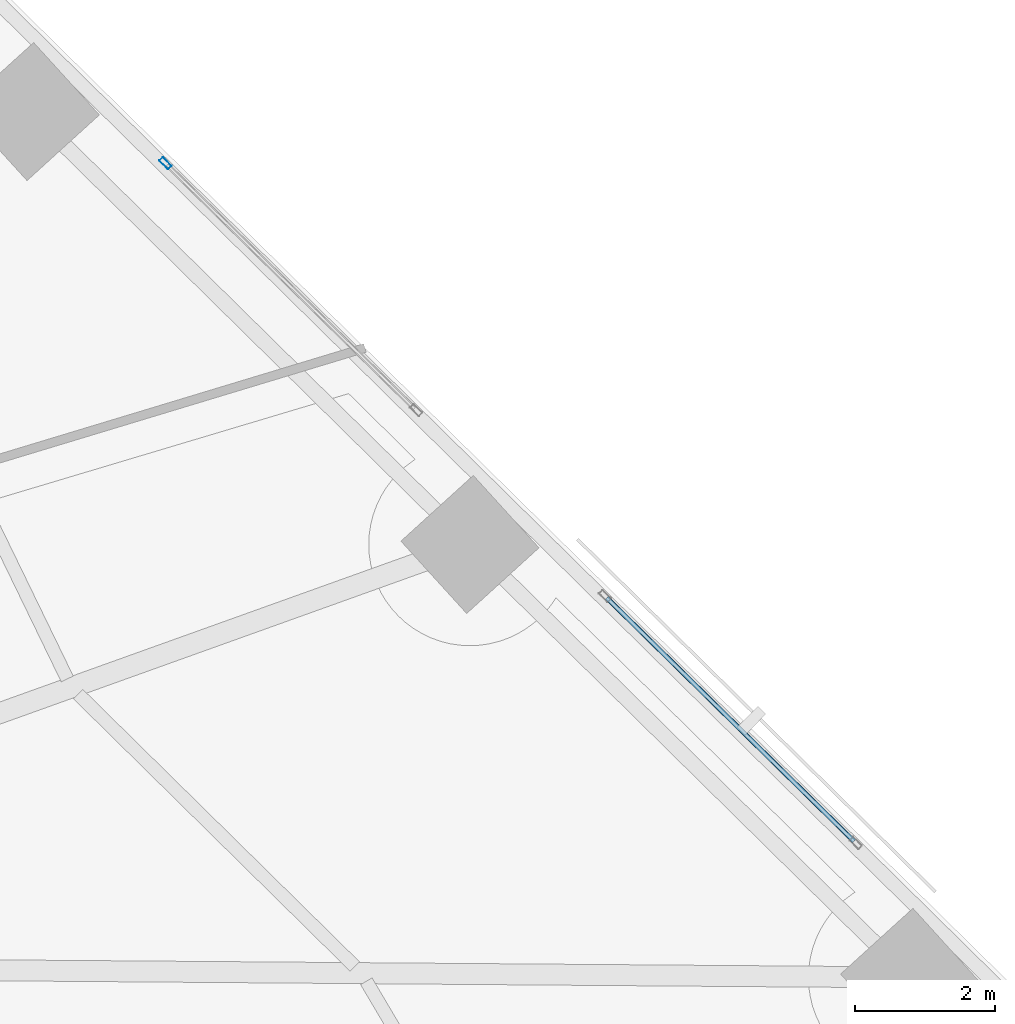
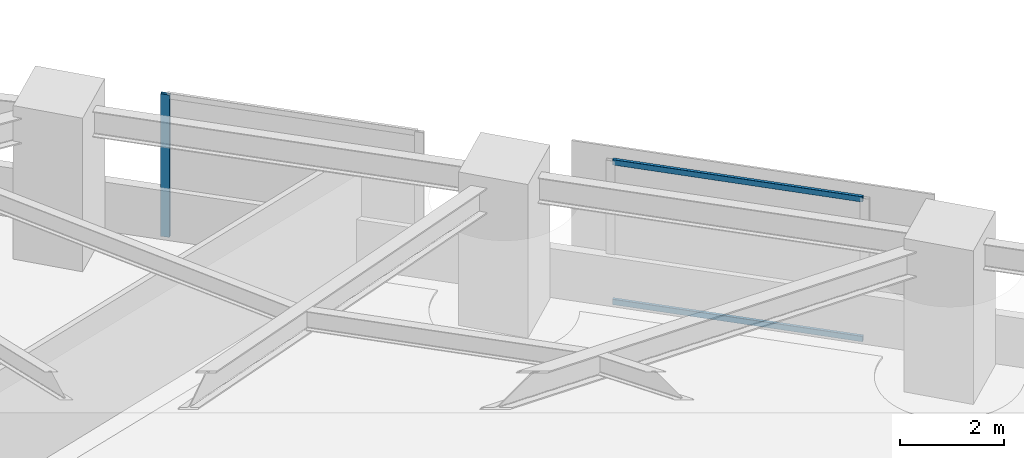
# One storey, part 7 of 18: 3 members, 2 elements without a shape of their own.
"""IFC4 building model written with IfcOpenShell, lengths in metres."""

import ifcopenshell
import ifcopenshell.guid

model = None  # the IFC model being written
_history = None  # IfcOwnerHistory: only IFC2X3 demands one
_inside = {}  # id of a spatial element -> (the spatial element, [elements in it])
_under = {}  # id of a project, library or spatial element -> (it, [spatial elements below it])
_declared = {}  # id of a project -> (the project, [libraries it declares])
_typed = {}  # id of a type object -> (the type object, [elements of that type])
_made_of = {}  # id of a material, layer set ... -> (it, [elements and type objects made of it])


def new_model(schema):
    """Start an empty IFC model of exactly this schema.

    Asked for "IFC4X3", IfcOpenShell would pick the latest addendum, in which some entities
    have other attributes; the version numbers below select the first issue.
    IFC2X3 requires an IfcOwnerHistory on every rooted entity: one is made here for all.
    """
    global model, _history
    if schema == "IFC4X3":
        model = ifcopenshell.file(schema_version=(4, 3, 0, 0))
    else:
        model = ifcopenshell.file(schema=schema)
    _inside.clear()
    _under.clear()
    _declared.clear()
    _typed.clear()
    _made_of.clear()
    _history = None
    if model.schema == "IFC2X3":
        org = make("IfcOrganization", Name="unknown")
        user = make(
            "IfcPersonAndOrganization",
            ThePerson=make("IfcPerson", FamilyName="unknown"),
            TheOrganization=org,
        )
        app = make(
            "IfcApplication",
            ApplicationDeveloper=org,
            Version="unknown",
            ApplicationFullName="unknown",
            ApplicationIdentifier="unknown",
        )
        _history = make(
            "IfcOwnerHistory",
            OwningUser=user,
            OwningApplication=app,
            ChangeAction="ADDED",
            CreationDate=0,
        )
    return model


def make(cls, **values):
    """One entity of the class cls with the attributes given. An attribute that is None is left unset."""
    return model.create_entity(
        cls, **{name: value for name, value in values.items() if value is not None}
    )


def rooted(cls, **values):
    """An entity with a GlobalId (a new one), such as an element, a storey or a relation."""
    return make(cls, GlobalId=ifcopenshell.guid.new(), OwnerHistory=_history, **values)


def si_unit(unit_type, name, prefix=None):
    """IfcSIUnit, for example si_unit("LENGTHUNIT", "METRE", prefix="MILLI")."""
    return make("IfcSIUnit", UnitType=unit_type, Prefix=prefix, Name=name)


def assignment(units):
    """IfcUnitAssignment: the units of a project."""
    return None if units is None else make("IfcUnitAssignment", Units=units)


def point(xyz):
    """IfcCartesianPoint."""
    return None if xyz is None else make("IfcCartesianPoint", Coordinates=xyz)


def direction(xyz):
    """IfcDirection."""
    return None if xyz is None else make("IfcDirection", DirectionRatios=xyz)


def frame(location, z_axis=None, x_axis=None):
    """IfcAxis2Placement3D, a coordinate frame: its origin and axes. An axis left out is left unset."""
    return make(
        "IfcAxis2Placement3D",
        Location=point(location),
        Axis=direction(z_axis),
        RefDirection=direction(x_axis),
    )


def frame_2d(location, x_axis=None):
    """IfcAxis2Placement2D, a coordinate frame in the plane: its origin and x axis."""
    return make(
        "IfcAxis2Placement2D", Location=point(location), RefDirection=direction(x_axis)
    )


def origin():
    """The frame at (0, 0, 0) with its axes left unset."""
    return frame((0.0, 0.0, 0.0))


def origin_2d():
    """The frame at (0, 0) in the plane with its x axis left unset."""
    return frame_2d((0.0, 0.0))


def place(relative_to, where):
    """IfcLocalPlacement: puts the frame where relative to a parent placement (None: the world)."""
    return make(
        "IfcLocalPlacement", PlacementRelTo=relative_to, RelativePlacement=where
    )


def context(
    kind, dimensions, precision=None, world=None, true_north=None, identifier=None
):
    """IfcGeometricRepresentationContext, for example the 3D "Model" context."""
    return make(
        "IfcGeometricRepresentationContext",
        ContextIdentifier=identifier,
        ContextType=kind,
        CoordinateSpaceDimension=dimensions,
        Precision=precision,
        WorldCoordinateSystem=world,
        TrueNorth=true_north,
    )


def subcontext(parent, identifier, kind, view, scale=None):
    """IfcGeometricRepresentationSubContext, for example "Body" below "Model"."""
    return make(
        "IfcGeometricRepresentationSubContext",
        ContextIdentifier=identifier,
        ContextType=kind,
        ParentContext=parent,
        TargetScale=scale,
        TargetView=view,
    )


def project(units=None, contexts=None):
    """IfcProject with its units and contexts."""
    return rooted(
        "IfcProject",
        Name="project",
        RepresentationContexts=contexts,
        UnitsInContext=assignment(units),
    )


def spatial(cls, under=None, at=None, **own):
    """A site, building, storey or space (cls), placed at a placement, below another one or the project."""
    s = rooted(cls, ObjectPlacement=at, **own)
    if under is not None:
        _under.setdefault(under.id(), (under, []))[1].append(s)
    return s


def profile(cls, at=None, kind="AREA", **sizes):
    """A parametric profile (cls). Its sizes go by their IFC names, for example OverallWidth=200.0."""
    return make(cls, ProfileType=kind, Position=at, **sizes)


def hollow_rectangle(**sizes):
    """IfcRectangleHollowProfileDef."""
    return profile("IfcRectangleHollowProfileDef", **sizes)


def extrude(swept, where, along, depth):
    """IfcExtrudedAreaSolid: the profile swept, set in the frame where, extruded along a direction by depth."""
    return make(
        "IfcExtrudedAreaSolid",
        SweptArea=swept,
        Position=where,
        ExtrudedDirection=direction(along),
        Depth=depth,
    )


def shape(context_of_items, identifier, shape_type, items):
    """IfcShapeRepresentation: the items that make up one representation, for example the "Body"."""
    return make(
        "IfcShapeRepresentation",
        ContextOfItems=context_of_items,
        RepresentationIdentifier=identifier,
        RepresentationType=shape_type,
        Items=items,
    )


def material(Name=None, Category=None):
    """IfcMaterial."""
    return make("IfcMaterial", Name=Name, Category=Category)


def material_profile(
    of_material, cross_section, Name=None, Category=None, Priority=None
):
    """IfcMaterialProfile: a cross section and its material."""
    return make(
        "IfcMaterialProfile",
        Name=Name,
        Material=of_material,
        Profile=cross_section,
        Priority=Priority,
        Category=Category,
    )


def profile_set(profiles, Name=None, composite=None):
    """IfcMaterialProfileSet."""
    return make(
        "IfcMaterialProfileSet",
        Name=Name,
        MaterialProfiles=profiles,
        CompositeProfile=composite,
    )


def made_of(thing, what):
    """Note that an element or type object is made of a material, layer set ...; save() writes the relation."""
    if what is not None:
        _made_of.setdefault(what.id(), (what, []))[1].append(thing)
    return thing


def type_object(cls, material=None, **own):
    """A type object (cls), such as IfcWallType, which elements share."""
    return made_of(rooted(cls, **own), material)


def element(
    cls,
    number,
    at=None,
    inside=None,
    cuts=None,
    type_object=None,
    material=None,
    context=None,
    identifier="Body",
    shape_type=None,
    held_by="IfcProductDefinitionShape",
    body=None,
    shapes=None,
    **own,
):
    """One element of the class cls, such as IfcWall. Its Tag is "e" and its number.

    at: its placement. inside: the storey or other place that contains it. cuts: it is an
    opening in that element (IfcRelVoidsElement). A single representation is given by context,
    identifier, shape_type and body (its items); several are given by shapes. held_by: the class
    of the entity that holds the representations. save() writes the other relations.
    """
    e = rooted(cls, Tag="e%d" % number, ObjectPlacement=at, **own)
    if body is not None:
        shapes = [shape(context, identifier, shape_type, body)]
    if shapes is not None:
        e.Representation = make(held_by, Representations=shapes)
    if inside is not None:
        _inside.setdefault(inside.id(), (inside, []))[1].append(e)
    if cuts is not None:
        rooted(
            "IfcRelVoidsElement", RelatingBuildingElement=cuts, RelatedOpeningElement=e
        )
    if type_object is not None:
        _typed.setdefault(type_object.id(), (type_object, []))[1].append(e)
    return made_of(e, material)


def aggregate(whole, parts):
    """IfcRelAggregates: a whole, such as a stair, and the parts it consists of."""
    return rooted("IfcRelAggregates", RelatingObject=whole, RelatedObjects=parts)


def save(model, path):
    """Write the relations noted so far, then the file.

    IfcRelAggregates (storeys below a building ...), IfcRelContainedInSpatialStructure (elements
    in a storey), IfcRelDefinesByType, IfcRelAssociatesMaterial and IfcRelDeclares: one each for
    every whole, place, type object, material and project.
    """
    for whole, parts in _under.values():
        aggregate(whole, parts)
    for where, things in _inside.values():
        rooted(
            "IfcRelContainedInSpatialStructure",
            RelatedElements=things,
            RelatingStructure=where,
        )
    for kind, things in _typed.values():
        rooted("IfcRelDefinesByType", RelatedObjects=things, RelatingType=kind)
    for what, things in _made_of.values():
        rooted("IfcRelAssociatesMaterial", RelatedObjects=things, RelatingMaterial=what)
    for by, libraries in _declared.values():
        rooted("IfcRelDeclares", RelatingContext=by, RelatedDefinitions=libraries)
    model.write(path)


model = new_model("IFC4")

# Units and contexts
model_context = context("Model", 3, precision=1e-05, world=origin(), true_north=direction((0.0, 1.0)))
body_context = subcontext(model_context, "Body", "Model", "MODEL_VIEW")
ifc_project = project(units=[si_unit("LENGTHUNIT", "METRE"), si_unit("AREAUNIT", "SQUARE_METRE"), si_unit("VOLUMEUNIT", "CUBIC_METRE"), si_unit("PLANEANGLEUNIT", "RADIAN"), si_unit("MASSUNIT", "GRAM", prefix="KILO")], contexts=[model_context])

# Site, building, storey
site_placement = place(None, origin())
site = spatial("IfcSite", under=ifc_project, at=site_placement, CompositionType="ELEMENT")
building_placement = place(site_placement, origin())
building = spatial("IfcBuilding", under=site, at=building_placement, Name="Narakoshi Arena Tower", CompositionType="ELEMENT")
storey_placement = place(building_placement, frame((0.0, 0.0, 44.699951171875)))
storey = spatial("IfcBuildingStorey", under=building, at=storey_placement, Name="L11", CompositionType="ELEMENT", Elevation=44.699951171875)

# Curtain wall, member
ifc_material = material(Name="Anodised bronze aluminium 6063-T6", Category="aluminium")
curtain_wall_type = type_object("IfcCurtainWallType", Name="CW-HYP-LOW", PredefinedType="NOTDEFINED", material=ifc_material)
curtain_wall_1_placement = place(storey_placement, origin())
curtain_wall_1 = element("IfcCurtainWall", 1, at=curtain_wall_1_placement, inside=storey, type_object=curtain_wall_type, Name="L11 Folded Hypotenuse Curtain Wall 1-4", PredefinedType="NOTDEFINED")
ifc_material_profile_1 = material_profile(ifc_material, hollow_rectangle(XDim=0.074951171875, YDim=0.179931640625, WallThickness=0.00390625, OuterFilletRadius=0.0048828125, at=origin_2d()), Name="MUL180x75x4")
ifc_profile_set_1 = profile_set([ifc_material_profile_1], Name="Anodised bronze aluminium 6063-T6")
member_type_1 = type_object("IfcMemberType", Name="MEM-MUL-180", PredefinedType="MULLION", material=ifc_profile_set_1)
member_1_placement = place(storey_placement, frame((97.982177734375, 54.835205078125, 0.0), z_axis=(0.0, 0.0, 1.0), x_axis=(-0.701632802488, -0.712538708053, 0.0)))
member_1 = element("IfcMember", 2, at=member_1_placement, type_object=member_type_1, Name="CW-01 mullion 2", PredefinedType="MULLION", context=body_context, shape_type="SweptSolid", body=[
    extrude(hollow_rectangle(XDim=0.074951171875, YDim=0.179931640625, WallThickness=0.00390625, OuterFilletRadius=0.0048828125, at=origin_2d()), origin(), (0.0, 0.0, 1.0), 3.340087890625),
])
aggregate(curtain_wall_1, [member_1])

# Curtain wall, members
curtain_wall_2_placement = place(storey_placement, origin())
curtain_wall_2 = element("IfcCurtainWall", 3, at=curtain_wall_2_placement, inside=storey, type_object=curtain_wall_type, Name="L11 Folded Hypotenuse Curtain Wall 1-3", PredefinedType="NOTDEFINED")
ifc_material_profile_2 = material_profile(ifc_material, hollow_rectangle(XDim=0.06494140625, YDim=0.1298828125, WallThickness=0.00390625, OuterFilletRadius=0.0048828125, at=origin_2d()), Name="TRN130x65x4")
ifc_profile_set_2 = profile_set([ifc_material_profile_2], Name="Anodised bronze aluminium 6063-T6")
member_type_2 = type_object("IfcMemberType", Name="MEM-TRN-130", PredefinedType="USERDEFINED", material=ifc_profile_set_2)
member_2_placement = place(storey_placement, frame((107.845947265625, 45.122314453125, 0.032470703125), z_axis=(-0.712542243067, 0.701629212508, 0.0), x_axis=(-0.701629212508, -0.712542243067, 0.0)))
member_2 = element("IfcMember", 4, at=member_2_placement, type_object=member_type_2, Name="CW-01 transom 1.1", ObjectType="TRANSOM", PredefinedType="USERDEFINED", context=body_context, shape_type="SweptSolid", body=[
    extrude(hollow_rectangle(XDim=0.06494140625, YDim=0.1298828125, WallThickness=0.00390625, OuterFilletRadius=0.0048828125, at=origin_2d()), origin(), (0.0, 0.0, 1.0), 4.966552734375),
])
member_3_placement = place(storey_placement, frame((107.845947265625, 45.122314453125, 3.3076171875), z_axis=(-0.712542243067, 0.701629212508, 0.0), x_axis=(-0.701629212508, -0.712542243067, 0.0)))
member_3 = element("IfcMember", 5, at=member_3_placement, type_object=member_type_2, Name="CW-01 transom 1.2", ObjectType="TRANSOM", PredefinedType="USERDEFINED", context=body_context, shape_type="SweptSolid", body=[
    extrude(hollow_rectangle(XDim=0.06494140625, YDim=0.1298828125, WallThickness=0.00390625, OuterFilletRadius=0.0048828125, at=origin_2d()), origin(), (0.0, 0.0, 1.0), 4.966552734375),
])
aggregate(curtain_wall_2, [member_2, member_3])

save(model, "model.ifc")
